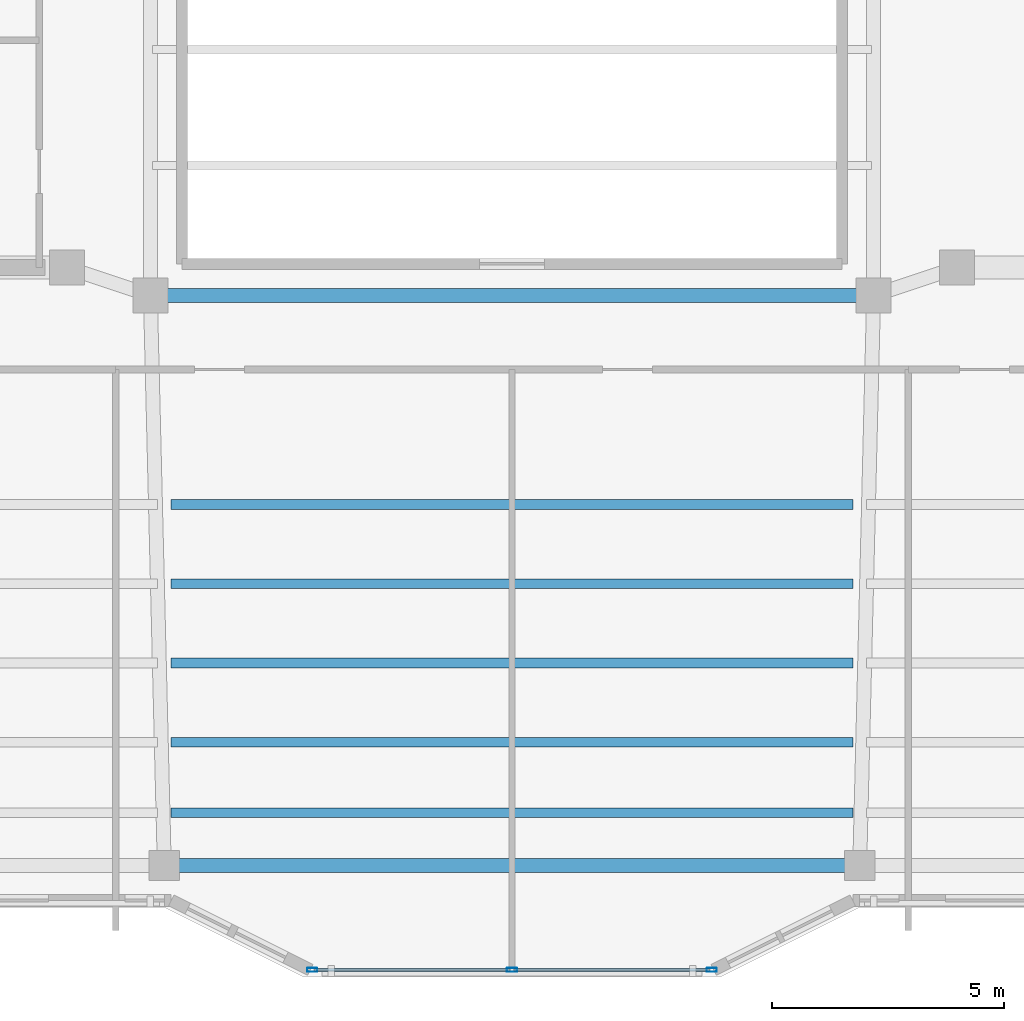
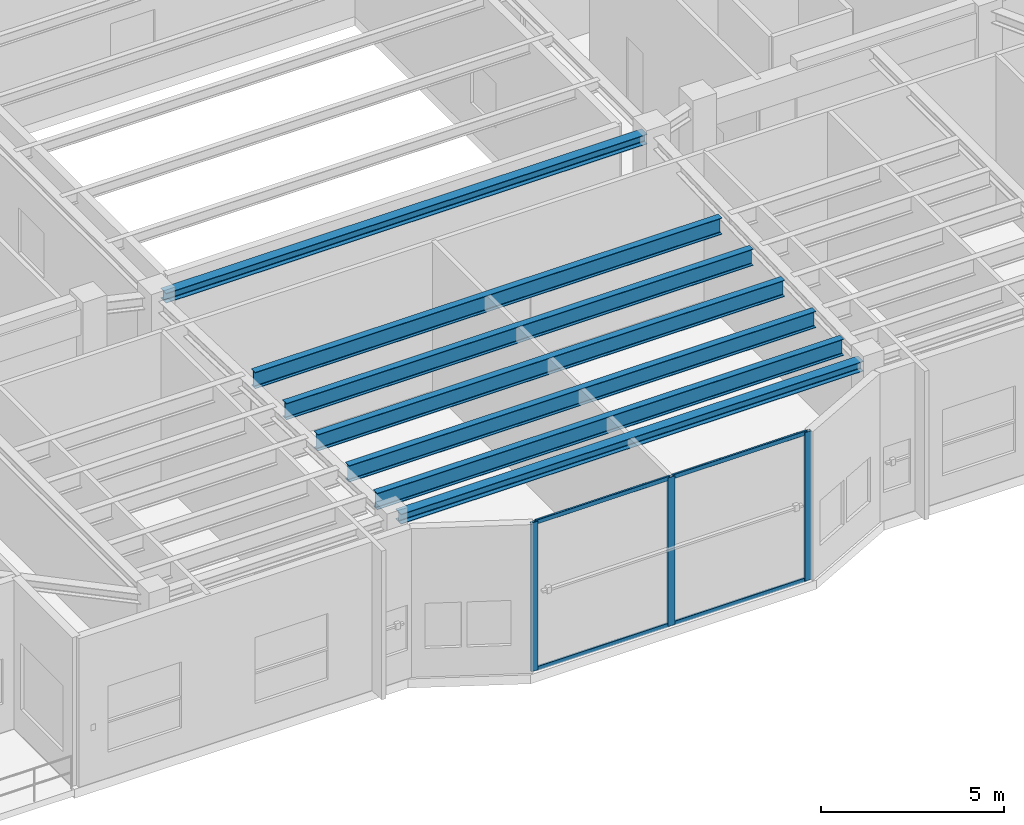
# One storey, part 3 of 23: 7 beams, 7 members, 1 element without a shape of its own.
"""IFC4 building model written with IfcOpenShell, lengths in metres."""

from ifc_helpers import new_model, si_unit, direction, frame, origin, origin_2d, place, context, subcontext, project, spatial, hollow_rectangle, i_section, extrude, material, layer, layer_set, material_profile, profile_set, type_object, element, aggregate, save


model = new_model("IFC4")

# Units and contexts
model_context = context("Model", 3, precision=1e-05, world=origin(), true_north=direction((0.0, 1.0)))
body_context = subcontext(model_context, "Body", "Model", "MODEL_VIEW")
ifc_project = project(units=[si_unit("LENGTHUNIT", "METRE"), si_unit("AREAUNIT", "SQUARE_METRE"), si_unit("VOLUMEUNIT", "CUBIC_METRE"), si_unit("PLANEANGLEUNIT", "RADIAN"), si_unit("MASSUNIT", "GRAM", prefix="KILO")], contexts=[model_context])

# Site, building, storey
site_placement = place(None, origin())
site = spatial("IfcSite", under=ifc_project, at=site_placement, CompositionType="ELEMENT")
building_placement = place(site_placement, origin())
building = spatial("IfcBuilding", under=site, at=building_placement, Name="Tarnavaz Court Tower", CompositionType="ELEMENT")
storey_placement = place(building_placement, frame((0.0, 0.0, 276.300048828125)))
storey = spatial("IfcBuildingStorey", under=building, at=storey_placement, Name="L75", CompositionType="ELEMENT", Elevation=276.300048828125)

# Beams
ifc_material_1 = material(Name="Steel S355", Category="steel")
ifc_material_profile_1 = material_profile(ifc_material_1, i_section(OverallWidth=0.2099609375, OverallDepth=0.550048828125, WebThickness=0.010986328125, FlangeThickness=0.01708984375, FilletRadius=0.02392578125, at=origin_2d()), Name="IPE 550")
ifc_profile_set_1 = profile_set([ifc_material_profile_1], Name="Steel S355")
beam_type_1 = type_object("IfcBeamType", Name="BM-J-IPE550", PredefinedType="JOIST", material=ifc_profile_set_1)
for number, where, z_axis, x_axis, name in (
    (1, (-7.35009765625, -12.31005859375, 4.675048828125), (1.0, 0.0, 0.0), (0.0, 1.0, 0.0), "L75 Beam JS1-2"),
    (2, (-7.35009765625, -14.02001953125, 4.675048828125), (1.0, 0.0, 0.0), (0.0, 1.0, 0.0), "L75 Beam JS2-2"),
    (3, (-7.35009765625, -15.72998046875, 4.675048828125), (1.0, 0.0, 0.0), (0.0, 1.0, 0.0), "L75 Beam JS3-2"),
    (4, (-7.35009765625, -17.43994140625, 4.675048828125), (1.0, 0.0, 0.0), (0.0, 1.0, 0.0), "L75 Beam JS4-2"),
    (5, (-7.35009765625, -18.9599609375, 4.675048828125), (1.0, 0.0, 0.0), (0.0, 1.0, 0.0), "L75 Beam JS5-2"),
):
    element("IfcBeam", number, at=place(storey_placement, frame(where, z_axis=z_axis, x_axis=x_axis)), inside=storey, type_object=beam_type_1, Name=name, PredefinedType="JOIST", context=body_context, shape_type="SweptSolid", body=[
        extrude(i_section(OverallWidth=0.2099609375, OverallDepth=0.550048828125, WebThickness=0.010986328125, FlangeThickness=0.01708984375, FilletRadius=0.02392578125, at=origin_2d()), origin(), (0.0, 0.0, 1.0), 14.7001953125),
    ])
ifc_material_profile_2 = material_profile(ifc_material_1, i_section(OverallWidth=0.300048828125, OverallDepth=0.330078125, WebThickness=0.009521484375, FlangeThickness=0.0166015625, FilletRadius=0.027099609375, at=origin_2d()), Name="HEA 340")
ifc_profile_set_2 = profile_set([ifc_material_profile_2], Name="Steel S355")
beam_type_2 = type_object("IfcBeamType", Name="BM-SP-HEA340", PredefinedType="BEAM", material=ifc_profile_set_2)
beam_1_placement = place(storey_placement, frame((-7.580078125, -7.800048828125, 4.784912109375), z_axis=(1.0, 0.0, 0.0), x_axis=(0.0, 1.0, 0.0)))
element("IfcBeam", 6, at=beam_1_placement, inside=storey, type_object=beam_type_2, Name="L75 Beam IN-IW-SW-IW-SE", PredefinedType="BEAM", context=body_context, shape_type="SweptSolid", body=[
    extrude(i_section(OverallWidth=0.300048828125, OverallDepth=0.330078125, WebThickness=0.009521484375, FlangeThickness=0.0166015625, FilletRadius=0.027099609375, at=origin_2d()), origin(), (0.0, 0.0, 1.0), 15.16015625),
])
beam_2_placement = place(storey_placement, frame((-7.280029296875, -20.10009765625, 4.784912109375), z_axis=(1.0, 0.0, 0.0), x_axis=(0.0, 1.0, 0.0)))
element("IfcBeam", 7, at=beam_2_placement, inside=storey, type_object=beam_type_2, Name="L75 Beam PR-PS-2-PS-3", PredefinedType="BEAM", context=body_context, shape_type="SweptSolid", body=[
    extrude(i_section(OverallWidth=0.300048828125, OverallDepth=0.330078125, WebThickness=0.009521484375, FlangeThickness=0.0166015625, FilletRadius=0.027099609375, at=origin_2d()), origin(), (0.0, 0.0, 1.0), 14.56005859375),
])

# Curtain wall, members
ifc_material_2 = material(Name="Anodised Aluminium 6063-T6 and Solar Low-E Glazing", Category="aluminium")
ifc_layer = layer(ifc_material_2, 0.2099609375)
ifc_layer_set = layer_set([ifc_layer], Name="Anodised Aluminium 6063-T6 and Solar Low-E Glazing")
curtain_wall_type = type_object("IfcCurtainWallType", Name="CW-SYS-06", PredefinedType="NOTDEFINED", material=ifc_layer_set)
curtain_wall_placement = place(storey_placement, origin())
curtain_wall = element("IfcCurtainWall", 8, at=curtain_wall_placement, inside=storey, type_object=curtain_wall_type, Name="L75 Observation Curtain Wall 17", PredefinedType="NOTDEFINED")
ifc_material_3 = material(Name="Anodised Aluminium 6063-T6", Category="aluminium")
ifc_material_profile_3 = material_profile(ifc_material_3, hollow_rectangle(XDim=0.0849609375, YDim=0.219970703125, WallThickness=0.006103515625, InnerFilletRadius=0.006103515625, OuterFilletRadius=0.011962890625, at=origin_2d()), Name="ALU RHS 220X85X6")
ifc_profile_set_3 = profile_set([ifc_material_profile_3], Name="Anodised Aluminium 6063-T6")
member_type_1 = type_object("IfcMemberType", Name="CW-MUL-220", PredefinedType="MULLION", material=ifc_profile_set_3)
member_1_placement = place(storey_placement, frame((4.3076171875, -22.35009765625, 0.0), z_axis=(0.0, 0.0, 1.0), x_axis=(0.0, -1.0, 0.0)))
member_1 = element("IfcMember", 9, at=member_1_placement, type_object=member_type_1, Name="CW mullion 1", PredefinedType="MULLION", context=body_context, shape_type="SweptSolid", body=[
    extrude(hollow_rectangle(XDim=0.0849609375, YDim=0.219970703125, WallThickness=0.006103515625, InnerFilletRadius=0.006103515625, OuterFilletRadius=0.011962890625, at=origin_2d()), origin(), (0.0, 0.0, 1.0), 4.949951171875),
])
member_2_placement = place(storey_placement, frame((0.0, -22.35009765625, 0.0), z_axis=(0.0, 0.0, 1.0), x_axis=(0.0, -1.0, 0.0)))
member_2 = element("IfcMember", 10, at=member_2_placement, type_object=member_type_1, Name="CW mullion 2", PredefinedType="MULLION", context=body_context, shape_type="SweptSolid", body=[
    extrude(hollow_rectangle(XDim=0.0849609375, YDim=0.219970703125, WallThickness=0.006103515625, InnerFilletRadius=0.006103515625, OuterFilletRadius=0.011962890625, at=origin_2d()), origin(), (0.0, 0.0, 1.0), 4.949951171875),
])
member_3_placement = place(storey_placement, frame((-4.3076171875, -22.35009765625, 0.0), z_axis=(0.0, 0.0, 1.0), x_axis=(0.0, -1.0, 0.0)))
member_3 = element("IfcMember", 11, at=member_3_placement, type_object=member_type_1, Name="CW mullion 3", PredefinedType="MULLION", context=body_context, shape_type="SweptSolid", body=[
    extrude(hollow_rectangle(XDim=0.0849609375, YDim=0.219970703125, WallThickness=0.006103515625, InnerFilletRadius=0.006103515625, OuterFilletRadius=0.011962890625, at=origin_2d()), origin(), (0.0, 0.0, 1.0), 4.949951171875),
])
ifc_material_profile_4 = material_profile(ifc_material_3, hollow_rectangle(XDim=0.06494140625, YDim=0.139892578125, WallThickness=0.00390625, InnerFilletRadius=0.00390625, OuterFilletRadius=0.008056640625, at=origin_2d()), Name="ALU RHS 140X65X4")
ifc_profile_set_4 = profile_set([ifc_material_profile_4], Name="Anodised Aluminium 6063-T6")
member_type_2 = type_object("IfcMemberType", Name="CW-TRN-140", PredefinedType="USERDEFINED", material=ifc_profile_set_4)
member_4_placement = place(storey_placement, frame((4.264892578125, -22.35009765625, 0.032470703125), z_axis=(-1.0, 0.0, 0.0), x_axis=(0.0, -1.0, 0.0)))
member_4 = element("IfcMember", 12, at=member_4_placement, type_object=member_type_2, Name="CW transom 1.1", ObjectType="TRANSOM", PredefinedType="USERDEFINED", context=body_context, shape_type="SweptSolid", body=[
    extrude(hollow_rectangle(XDim=0.06494140625, YDim=0.139892578125, WallThickness=0.00390625, InnerFilletRadius=0.00390625, OuterFilletRadius=0.008056640625, at=origin_2d()), origin(), (0.0, 0.0, 1.0), 4.222412109375),
])
member_5_placement = place(storey_placement, frame((4.264892578125, -22.35009765625, 4.91748046875), z_axis=(-1.0, 0.0, 0.0), x_axis=(0.0, -1.0, 0.0)))
member_5 = element("IfcMember", 13, at=member_5_placement, type_object=member_type_2, Name="CW transom 1.2", ObjectType="TRANSOM", PredefinedType="USERDEFINED", context=body_context, shape_type="SweptSolid", body=[
    extrude(hollow_rectangle(XDim=0.06494140625, YDim=0.139892578125, WallThickness=0.00390625, InnerFilletRadius=0.00390625, OuterFilletRadius=0.008056640625, at=origin_2d()), origin(), (0.0, 0.0, 1.0), 4.222412109375),
])
member_6_placement = place(storey_placement, frame((-0.04248046875, -22.35009765625, 0.032470703125), z_axis=(-1.0, 0.0, 0.0), x_axis=(0.0, -1.0, 0.0)))
member_6 = element("IfcMember", 14, at=member_6_placement, type_object=member_type_2, Name="CW transom 2.1", ObjectType="TRANSOM", PredefinedType="USERDEFINED", context=body_context, shape_type="SweptSolid", body=[
    extrude(hollow_rectangle(XDim=0.06494140625, YDim=0.139892578125, WallThickness=0.00390625, InnerFilletRadius=0.00390625, OuterFilletRadius=0.008056640625, at=origin_2d()), origin(), (0.0, 0.0, 1.0), 4.222412109375),
])
member_7_placement = place(storey_placement, frame((-0.04248046875, -22.35009765625, 4.91748046875), z_axis=(-1.0, 0.0, 0.0), x_axis=(0.0, -1.0, 0.0)))
member_7 = element("IfcMember", 15, at=member_7_placement, type_object=member_type_2, Name="CW transom 2.2", ObjectType="TRANSOM", PredefinedType="USERDEFINED", context=body_context, shape_type="SweptSolid", body=[
    extrude(hollow_rectangle(XDim=0.06494140625, YDim=0.139892578125, WallThickness=0.00390625, InnerFilletRadius=0.00390625, OuterFilletRadius=0.008056640625, at=origin_2d()), origin(), (0.0, 0.0, 1.0), 4.222412109375),
])
aggregate(curtain_wall, [member_1, member_2, member_3, member_4, member_5, member_6, member_7])

save(model, "model.ifc")
